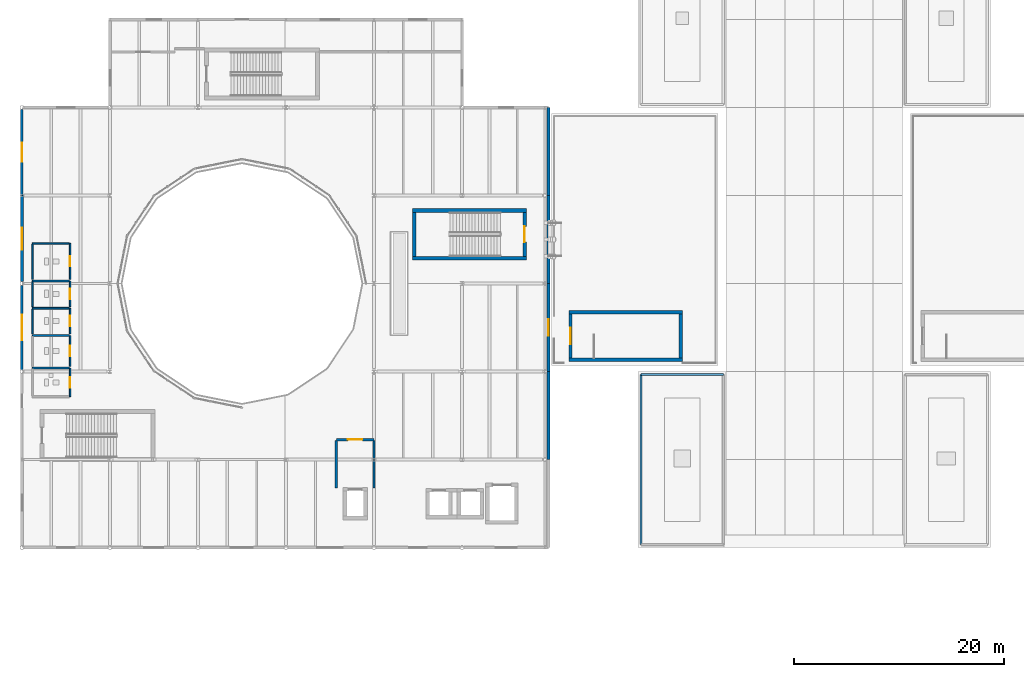
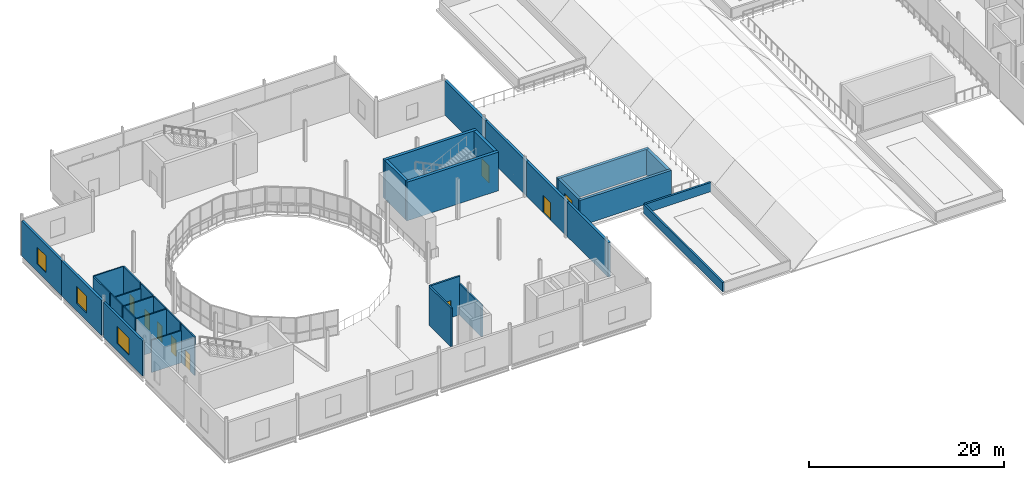
# One storey, part 66 of 91: 33 walls, 9 doors, 3 windows, 12 openings.
"""IFC4 building model written with IfcOpenShell, lengths in metres."""

from ifc_helpers import new_model, si_unit, direction, frame, frame_2d, origin, place, context, subcontext, project, spatial, rectangle, extrude, material, layer, layer_set, type_object, element, fill, save


model = new_model("IFC4")

# Units and contexts
model_context = context("Model", 3, precision=1e-05, world=origin(), true_north=direction((0.0, 1.0)))
body_context = subcontext(model_context, "Body", "Model", "MODEL_VIEW")
ifc_project = project(units=[si_unit("LENGTHUNIT", "METRE"), si_unit("AREAUNIT", "SQUARE_METRE"), si_unit("VOLUMEUNIT", "CUBIC_METRE"), si_unit("PLANEANGLEUNIT", "RADIAN"), si_unit("MASSUNIT", "GRAM", prefix="KILO"), si_unit("THERMODYNAMICTEMPERATUREUNIT", "KELVIN")], contexts=[model_context])

# Site, building, storey
site_placement = place(None, origin())
site = spatial("IfcSite", under=ifc_project, at=site_placement, CompositionType="ELEMENT")
building_placement = place(site_placement, origin())
building = spatial("IfcBuilding", under=site, at=building_placement, Name="Lustrewick Department Store", CompositionType="ELEMENT")
storey_placement = place(building_placement, frame((0.0, 0.0, 21.60009765625)))
storey = spatial("IfcBuildingStorey", under=building, at=storey_placement, Name="L05", CompositionType="ELEMENT", Elevation=21.60009765625)

# Wall, opening, window
ifc_material_1 = material(Name="Precast concrete C40", Category="concrete")
ifc_layer_1 = layer(ifc_material_1, 0.239990234375, Name="Precast concrete C40")
ifc_layer_set_1 = layer_set([ifc_layer_1], Name="Precast concrete C40")
wall_type_1 = type_object("IfcWallType", Name="EW01", PredefinedType="STANDARD", material=ifc_layer_set_1)
wall_1_placement = place(storey_placement, frame((8.39990234375, 67.027099609375, 0.0), z_axis=(0.0, 0.0, 1.0), x_axis=(0.0, -1.0, 0.0)))
wall_1 = element("IfcWall", 1, at=wall_1_placement, inside=storey, type_object=wall_type_1, Name="L05 V1 Exterior Wall EW01", PredefinedType="STANDARD", context=body_context, shape_type="SweptSolid", body=[
    extrude(rectangle(XDim=8.05419921875, YDim=0.239990234375, at=frame_2d((4.027099609375, 0.0))), origin(), (0.0, 0.0, 1.0), 4.39697265625),
])
opening_1_placement = place(wall_1_placement, frame((2.826904296875, 0.0, 0.949951171875)))
opening_1 = element("IfcOpeningElement", 2, at=opening_1_placement, cuts=wall_1, Name="Opening WN12", PredefinedType="OPENING", context=body_context, shape_type="SweptSolid", body=[
    extrude(rectangle(XDim=2.39990234375, YDim=2.10009765625, at=frame_2d((1.199951171875, 1.050048828125))), frame((0.0, 0.1298828125, 0.0), z_axis=(0.0, -1.0, 0.0), x_axis=(1.0, 0.0, 0.0)), (0.0, 0.0, 1.0), 0.260009765625),
])
ifc_material_2 = material(Name="Thermally broken Low-E triple-glazed window", Category="glass")
window_type_1 = type_object("IfcWindowType", Name="WN12", PartitioningType="DOUBLE_PANEL_VERTICAL", PredefinedType="WINDOW", material=ifc_material_2)
window_1_placement = place(opening_1_placement, origin())
window_1 = element("IfcWindow", 3, at=window_1_placement, inside=storey, type_object=window_type_1, Name="L05 Art Nouveau Window WN12", OverallHeight=2.10009765625, OverallWidth=2.39990234375, PartitioningType="SINGLE_PANEL", PredefinedType="WINDOW", context=body_context, shape_type="SweptSolid", body=[
    extrude(rectangle(XDim=2.39990234375, YDim=2.10009765625, at=frame_2d((1.199951171875, 1.050048828125))), frame((0.0, 0.030029296875, 0.0), z_axis=(0.0, -1.0, 0.0), x_axis=(1.0, 0.0, 0.0)), (0.0, 0.0, 1.0), 0.06005859375),
])
fill(opening_1, window_1)

ifc_layer_2 = layer(ifc_material_1, 0.260009765625, Name="Precast concrete C40")
ifc_layer_set_2 = layer_set([ifc_layer_2], Name="Precast concrete C40")
wall_type_2 = type_object("IfcWallType", Name="EW02", PredefinedType="STANDARD", material=ifc_layer_set_2)
wall_2_placement = place(storey_placement, frame((8.39990234375, 83.826904296875, 0.0), z_axis=(0.0, 0.0, 1.0), x_axis=(0.0, -1.0, 0.0)))
wall_2 = element("IfcWall", 4, at=wall_2_placement, inside=storey, type_object=wall_type_2, Name="L05 V1 Exterior Wall EW02", PredefinedType="STANDARD", context=body_context, shape_type="SweptSolid", body=[
    extrude(rectangle(XDim=8.226806640625, YDim=0.260009765625, at=frame_2d((4.11328125, 0.0))), origin(), (0.0, 0.0, 1.0), 4.39697265625),
])
opening_2_placement = place(wall_2_placement, frame((3.21337890625, 0.0, 0.949951171875)))
opening_2 = element("IfcOpeningElement", 5, at=opening_2_placement, cuts=wall_2, Name="Opening WN10", PredefinedType="OPENING", context=body_context, shape_type="SweptSolid", body=[
    extrude(rectangle(XDim=1.800048828125, YDim=2.10009765625, at=frame_2d((0.89990234375, 1.050048828125))), frame((0.0, 0.14013671875, 0.0), z_axis=(0.0, -1.0, 0.0), x_axis=(1.0, 0.0, 0.0)), (0.0, 0.0, 1.0), 0.280029296875),
])
window_type_2 = type_object("IfcWindowType", Name="WN10", PartitioningType="DOUBLE_PANEL_VERTICAL", PredefinedType="WINDOW", material=ifc_material_2)
window_2_placement = place(opening_2_placement, origin())
window_2 = element("IfcWindow", 6, at=window_2_placement, inside=storey, type_object=window_type_2, Name="L05 Art Nouveau Window WN10", OverallHeight=2.10009765625, OverallWidth=1.800048828125, PartitioningType="SINGLE_PANEL", PredefinedType="WINDOW", context=body_context, shape_type="SweptSolid", body=[
    extrude(rectangle(XDim=1.800048828125, YDim=2.10009765625, at=frame_2d((0.89990234375, 1.050048828125))), frame((0.0, 0.030029296875, 0.0), z_axis=(0.0, -1.0, 0.0), x_axis=(1.0, 0.0, 0.0)), (0.0, 0.0, 1.0), 0.06005859375),
])
fill(opening_2, window_2)

ifc_layer_3 = layer(ifc_material_1, 0.280029296875, Name="Precast concrete C40")
ifc_layer_set_3 = layer_set([ifc_layer_3], Name="Precast concrete C40")
wall_type_3 = type_object("IfcWallType", Name="EW03", PredefinedType="STANDARD", material=ifc_layer_set_3)
wall_3_placement = place(storey_placement, frame((8.39990234375, 75.60009765625, 0.0), z_axis=(0.0, 0.0, 1.0), x_axis=(0.0, -1.0, 0.0)))
wall_3 = element("IfcWall", 7, at=wall_3_placement, inside=storey, type_object=wall_type_3, Name="L05 V1 Exterior Wall EW03", PredefinedType="STANDARD", context=body_context, shape_type="SweptSolid", body=[
    extrude(rectangle(XDim=8.22705078125, YDim=0.280029296875, at=frame_2d((4.113525390625, 0.0))), origin(), (0.0, 0.0, 1.0), 4.39697265625),
])
opening_3_placement = place(wall_3_placement, frame((3.0634765625, 0.0, 0.949951171875)))
opening_3 = element("IfcOpeningElement", 8, at=opening_3_placement, cuts=wall_3, Name="Opening WN11", PredefinedType="OPENING", context=body_context, shape_type="SweptSolid", body=[
    extrude(rectangle(XDim=2.10009765625, YDim=2.10009765625, at=frame_2d((1.050048828125, 1.050048828125))), frame((0.0, 0.14990234375, 0.0), z_axis=(0.0, -1.0, 0.0), x_axis=(1.0, 0.0, 0.0)), (0.0, 0.0, 1.0), 0.300048828125),
])
window_type_3 = type_object("IfcWindowType", Name="WN11", PartitioningType="DOUBLE_PANEL_VERTICAL", PredefinedType="WINDOW", material=ifc_material_2)
window_3_placement = place(opening_3_placement, origin())
window_3 = element("IfcWindow", 9, at=window_3_placement, inside=storey, type_object=window_type_3, Name="L05 Art Nouveau Window WN11", OverallHeight=2.10009765625, OverallWidth=2.10009765625, PartitioningType="SINGLE_PANEL", PredefinedType="WINDOW", context=body_context, shape_type="SweptSolid", body=[
    extrude(rectangle(XDim=2.10009765625, YDim=2.10009765625, at=frame_2d((1.050048828125, 1.050048828125))), frame((0.0, 0.030029296875, 0.0), z_axis=(0.0, -1.0, 0.0), x_axis=(1.0, 0.0, 0.0)), (0.0, 0.0, 1.0), 0.06005859375),
])
fill(opening_3, window_3)

# Wall
ifc_layer_4 = layer(ifc_material_1, 0.300048828125, Name="Precast concrete C40")
ifc_layer_set_4 = layer_set([ifc_layer_4], Name="Precast concrete C40")
wall_type_4 = type_object("IfcWallType", Name="EW04", PredefinedType="STANDARD", material=ifc_layer_set_4)
wall_4_placement = place(storey_placement, frame((58.64990234375, 50.39990234375, 0.0), z_axis=(0.0, 0.0, 1.0), x_axis=(0.0, 1.0, 0.0)))
element("IfcWall", 10, at=wall_4_placement, inside=storey, type_object=wall_type_4, Name="L05 V1 Exterior Wall EW04", PredefinedType="STANDARD", context=body_context, shape_type="SweptSolid", body=[
    extrude(rectangle(XDim=8.400146484375, YDim=0.300048828125, at=frame_2d((4.2001953125, 0.0))), origin(), (0.0, 0.0, 1.0), 4.330810546875),
])

# Wall, opening, door
wall_5_placement = place(storey_placement, frame((58.64990234375, 58.800048828125, 0.0), z_axis=(0.0, 0.0, 1.0), x_axis=(0.0, 1.0, 0.0)))
wall_5 = element("IfcWall", 11, at=wall_5_placement, inside=storey, type_object=wall_type_4, Name="L05 V1 Exterior Wall EW04", PredefinedType="STANDARD", context=body_context, shape_type="SweptSolid", body=[
    extrude(rectangle(XDim=8.39990234375, YDim=0.300048828125, at=frame_2d((4.199951171875, 0.0))), origin(), (0.0, 0.0, 1.0), 4.330810546875),
])
opening_4_placement = place(wall_5_placement, frame((3.39990234375, 0.0, 0.0)))
opening_4 = element("IfcOpeningElement", 12, at=opening_4_placement, cuts=wall_5, Name="Opening D-TR03", PredefinedType="OPENING", context=body_context, shape_type="SweptSolid", body=[
    extrude(rectangle(XDim=1.60009765625, YDim=2.199951171875, at=frame_2d((0.800048828125, 1.10009765625))), frame((0.0, 0.16015625, 0.0), z_axis=(0.0, -1.0, 0.0), x_axis=(1.0, 0.0, 0.0)), (0.0, 0.0, 1.0), 0.320068359375),
])
ifc_material_3 = material(Name="Steel fire-rated terrace exit door EI 60", Category="steel")
door_type_1 = type_object("IfcDoorType", Name="DT-03", OperationType="NOTDEFINED", PredefinedType="DOOR", material=ifc_material_3)
door_1_placement = place(opening_4_placement, frame((1.60009765625, 0.0, 0.0), z_axis=(0.0, 0.0, 1.0), x_axis=(-1.0, 0.0, 0.0)))
door_1 = element("IfcDoor", 13, at=door_1_placement, inside=storey, type_object=door_type_1, Name="L05 Terrace and Refuge Access Door D-TR03", OperationType="DOUBLE_DOOR_SINGLE_SWING", OverallHeight=2.199951171875, OverallWidth=1.60009765625, PredefinedType="DOOR", context=body_context, shape_type="SweptSolid", body=[
    extrude(rectangle(XDim=1.60009765625, YDim=2.199951171875, at=frame_2d((0.800048828125, 1.10009765625))), frame((0.0, 0.02490234375, 0.0), z_axis=(0.0, -1.0, 0.0), x_axis=(1.0, 0.0, 0.0)), (0.0, 0.0, 1.0), 0.050048828125),
])
fill(opening_4, door_1)

# Walls
wall_6_placement = place(storey_placement, frame((58.64990234375, 67.199951171875, 0.0), z_axis=(0.0, 0.0, 1.0), x_axis=(0.0, 1.0, 0.0)))
element("IfcWall", 14, at=wall_6_placement, inside=storey, type_object=wall_type_4, Name="L05 V1 Exterior Wall EW04", PredefinedType="STANDARD", context=body_context, shape_type="SweptSolid", body=[
    extrude(rectangle(XDim=8.400146484375, YDim=0.300048828125, at=frame_2d((4.2001953125, 0.0))), origin(), (0.0, 0.0, 1.0), 4.330810546875),
])
wall_7_placement = place(storey_placement, frame((58.64990234375, 75.60009765625, 0.0), z_axis=(0.0, 0.0, 1.0), x_axis=(0.0, 1.0, 0.0)))
element("IfcWall", 15, at=wall_7_placement, inside=storey, type_object=wall_type_4, Name="L05 V1 Exterior Wall EW04", PredefinedType="STANDARD", context=body_context, shape_type="SweptSolid", body=[
    extrude(rectangle(XDim=8.39990234375, YDim=0.300048828125, at=frame_2d((4.199951171875, 0.0))), origin(), (0.0, 0.0, 1.0), 4.330810546875),
])
ifc_layer_5 = layer(ifc_material_1, 0.2099609375, Name="Precast concrete C40")
ifc_layer_set_5 = layer_set([ifc_layer_5], Name="Precast concrete C40")
wall_type_5 = type_object("IfcWallType", Name="PA02", PredefinedType="PARAPET", material=ifc_layer_set_5)
wall_8_placement = place(storey_placement, frame((67.47998046875, 42.280029296875, 0.0), z_axis=(0.0, 0.0, 1.0), x_axis=(0.0, 1.0, 0.0)))
element("IfcWall", 16, at=wall_8_placement, inside=storey, type_object=wall_type_5, Name="L05 Roof Parapet PA02", PredefinedType="PARAPET", context=body_context, shape_type="SweptSolid", body=[
    extrude(rectangle(XDim=16.239990234375, YDim=0.2099609375, at=frame_2d((8.1201171875, 0.0))), origin(), (0.0, 0.0, 1.0), 1.14990234375),
])
ifc_layer_6 = layer(ifc_material_1, 0.22998046875, Name="Precast concrete C40")
ifc_layer_set_6 = layer_set([ifc_layer_6], Name="Precast concrete C40")
wall_type_6 = type_object("IfcWallType", Name="PA03", PredefinedType="PARAPET", material=ifc_layer_set_6)
wall_9_placement = place(storey_placement, frame((67.47998046875, 58.52001953125, 0.0), z_axis=(0.0, 0.0, 1.0), x_axis=(1.0, 0.0, 0.0)))
element("IfcWall", 17, at=wall_9_placement, inside=storey, type_object=wall_type_6, Name="L05 Roof Parapet PA03", PredefinedType="PARAPET", context=body_context, shape_type="SweptSolid", body=[
    extrude(rectangle(XDim=7.840087890625, YDim=0.22998046875, at=frame_2d((3.919921875, 0.0))), origin(), (0.0, 0.0, 1.0), 1.14990234375),
])

# Wall, opening, door
ifc_material_4 = material(Name="Autoclaved aerated concrete blockwork and fire board", Category="masonry")
ifc_layer_7 = layer(ifc_material_4, 0.205078125, Name="Autoclaved aerated concrete blockwork and fire board")
ifc_layer_set_7 = layer_set([ifc_layer_7], Name="Autoclaved aerated concrete blockwork and fire board")
wall_type_7 = type_object("IfcWallType", Name="PW02", PredefinedType="PARTITIONING", material=ifc_layer_set_7)
wall_10_placement = place(storey_placement, frame((42.0, 52.300048828125, 0.0), z_axis=(0.0, 0.0, 1.0), x_axis=(-1.0, 0.0, 0.0)))
wall_10 = element("IfcWall", 18, at=wall_10_placement, inside=storey, type_object=wall_type_7, Name="L05 Firefighting Lift Lobby FFL-01 PW02", PredefinedType="PARTITIONING", context=body_context, shape_type="SweptSolid", body=[
    extrude(rectangle(XDim=3.60009765625, YDim=0.205078125, at=frame_2d((1.800048828125, 0.0))), origin(), (0.0, 0.0, 1.0), 4.844970703125),
])
opening_5_placement = place(wall_10_placement, frame((1.10009765625, 0.0, 0.0)))
opening_5 = element("IfcOpeningElement", 19, at=opening_5_placement, cuts=wall_10, Name="Opening D-L05-041", PredefinedType="OPENING", context=body_context, shape_type="SweptSolid", body=[
    extrude(rectangle(XDim=1.39990234375, YDim=2.14990234375, at=frame_2d((0.699951171875, 1.074951171875))), frame((0.0, 0.112548828125, 0.0), z_axis=(0.0, -1.0, 0.0), x_axis=(1.0, 0.0, 0.0)), (0.0, 0.0, 1.0), 0.22509765625),
])
ifc_material_5 = material(Name="Steel fire door Class B EI 60", Category="steel")
door_type_2 = type_object("IfcDoorType", Name="DT-08", OperationType="NOTDEFINED", PredefinedType="DOOR", material=ifc_material_5)
door_2_placement = place(opening_5_placement, origin())
door_2 = element("IfcDoor", 20, at=door_2_placement, inside=storey, type_object=door_type_2, Name="L05 Firefighting Lift Lobby FFL-01 Door D-L05-041", OperationType="SINGLE_SWING_LEFT", OverallHeight=2.14990234375, OverallWidth=1.39990234375, PredefinedType="DOOR", context=body_context, shape_type="SweptSolid", body=[
    extrude(rectangle(XDim=1.39990234375, YDim=2.14990234375, at=frame_2d((0.699951171875, 1.074951171875))), frame((0.0, 0.02490234375, 0.0), z_axis=(0.0, -1.0, 0.0), x_axis=(1.0, 0.0, 0.0)), (0.0, 0.0, 1.0), 0.050048828125),
])
fill(opening_5, door_2)

# Walls
wall_11_placement = place(storey_placement, frame((42.0, 47.699951171875, 0.0), z_axis=(0.0, 0.0, 1.0), x_axis=(0.0, 1.0, 0.0)))
element("IfcWall", 21, at=wall_11_placement, inside=storey, type_object=wall_type_7, Name="L05 Firefighting Lift Lobby FFL-01 PW02", PredefinedType="PARTITIONING", context=body_context, shape_type="SweptSolid", body=[
    extrude(rectangle(XDim=4.50244140625, YDim=0.205078125, at=frame_2d((2.251220703125, 0.0))), origin(), (0.0, 0.0, 1.0), 3.9248046875),
])
wall_12_placement = place(storey_placement, frame((38.39990234375, 52.202392578125, 0.0), z_axis=(0.0, 0.0, 1.0), x_axis=(0.0, -1.0, 0.0)))
element("IfcWall", 22, at=wall_12_placement, inside=storey, type_object=wall_type_7, Name="L05 Firefighting Lift Lobby FFL-01 PW02", PredefinedType="PARTITIONING", context=body_context, shape_type="SweptSolid", body=[
    extrude(rectangle(XDim=4.50244140625, YDim=0.205078125, at=frame_2d((2.251220703125, 0.0))), origin(), (0.0, 0.0, 1.0), 4.844970703125),
])

# Wall, opening, door
ifc_material_6 = material(Name="Moisture-resistant cement board sanitary partition", Category="gypsum")
ifc_layer_8 = layer(ifc_material_6, 0.14990234375, Name="Moisture-resistant cement board sanitary partition")
ifc_layer_set_8 = layer_set([ifc_layer_8], Name="Moisture-resistant cement board sanitary partition")
wall_type_8 = type_object("IfcWallType", Name="PW05", PredefinedType="PARTITIONING", material=ifc_layer_set_8)
wall_13_placement = place(storey_placement, frame((13.0, 56.39990234375, 0.0), z_axis=(0.0, 0.0, 1.0), x_axis=(0.0, 1.0, 0.0)))
wall_13 = element("IfcWall", 23, at=wall_13_placement, inside=storey, type_object=wall_type_8, Name="L05 Male Public WC PW05", PredefinedType="PARTITIONING", context=body_context, shape_type="SweptSolid", body=[
    extrude(rectangle(XDim=2.739990234375, YDim=0.14990234375, at=frame_2d((1.3701171875, 0.0))), origin(), (0.0, 0.0, 1.0), 4.844970703125),
])
opening_6_placement = place(wall_13_placement, frame((0.8701171875, 0.0, 0.0)))
opening_6 = element("IfcOpeningElement", 24, at=opening_6_placement, cuts=wall_13, Name="Opening D-L05-042", PredefinedType="OPENING", context=body_context, shape_type="SweptSolid", body=[
    extrude(rectangle(XDim=1.0, YDim=2.10009765625, at=frame_2d((0.5, 1.050048828125))), frame((0.0, 0.0849609375, 0.0), z_axis=(0.0, -1.0, 0.0), x_axis=(1.0, 0.0, 0.0)), (0.0, 0.0, 1.0), 0.169921875),
])
ifc_material_7 = material(Name="Moisture-resistant laminate sanitary door", Category="steel")
door_type_3 = type_object("IfcDoorType", Name="DT-11", OperationType="NOTDEFINED", PredefinedType="DOOR", material=ifc_material_7)
door_3_placement = place(opening_6_placement, origin())
door_3 = element("IfcDoor", 25, at=door_3_placement, inside=storey, type_object=door_type_3, Name="L05 Male Public WC Door D-L05-042", OperationType="SINGLE_SWING_RIGHT", OverallHeight=2.10009765625, OverallWidth=1.0, PredefinedType="DOOR", context=body_context, shape_type="SweptSolid", body=[
    extrude(rectangle(XDim=1.0, YDim=2.10009765625, at=frame_2d((0.5, 1.050048828125))), frame((0.0, 0.02490234375, 0.0), z_axis=(0.0, -1.0, 0.0), x_axis=(1.0, 0.0, 0.0)), (0.0, 0.0, 1.0), 0.050048828125),
])
fill(opening_6, door_3)

# Wall
wall_14_placement = place(storey_placement, frame((12.929931640625, 59.139892578125, 0.0), z_axis=(0.0, 0.0, 1.0), x_axis=(-1.0, 0.0, 0.0)))
element("IfcWall", 26, at=wall_14_placement, inside=storey, type_object=wall_type_8, Name="L05 Male Public WC PW05", PredefinedType="PARTITIONING", context=body_context, shape_type="SweptSolid", body=[
    extrude(rectangle(XDim=3.530029296875, YDim=0.14990234375, at=frame_2d((1.76513671875, 0.0))), origin(), (0.0, 0.0, 1.0), 4.036865234375),
])

# Wall, opening, door
wall_15_placement = place(storey_placement, frame((13.0, 59.300048828125, 0.0), z_axis=(0.0, 0.0, 1.0), x_axis=(0.0, 1.0, 0.0)))
wall_15 = element("IfcWall", 27, at=wall_15_placement, inside=storey, type_object=wall_type_8, Name="L05 Female Public WC PW05", PredefinedType="PARTITIONING", context=body_context, shape_type="SweptSolid", body=[
    extrude(rectangle(XDim=2.93994140625, YDim=0.14990234375, at=frame_2d((1.469970703125, 0.0))), origin(), (0.0, 0.0, 1.0), 4.844970703125),
])
opening_7_placement = place(wall_15_placement, frame((0.969970703125, 0.0, 0.0)))
opening_7 = element("IfcOpeningElement", 28, at=opening_7_placement, cuts=wall_15, Name="Opening D-L05-043", PredefinedType="OPENING", context=body_context, shape_type="SweptSolid", body=[
    extrude(rectangle(XDim=1.0, YDim=2.10009765625, at=frame_2d((0.5, 1.050048828125))), frame((0.0, 0.0849609375, 0.0), z_axis=(0.0, -1.0, 0.0), x_axis=(1.0, 0.0, 0.0)), (0.0, 0.0, 1.0), 0.169921875),
])
door_4_placement = place(opening_7_placement, origin())
door_4 = element("IfcDoor", 29, at=door_4_placement, inside=storey, type_object=door_type_3, Name="L05 Female Public WC Door D-L05-043", OperationType="SINGLE_SWING_LEFT", OverallHeight=2.10009765625, OverallWidth=1.0, PredefinedType="DOOR", context=body_context, shape_type="SweptSolid", body=[
    extrude(rectangle(XDim=1.0, YDim=2.10009765625, at=frame_2d((0.5, 1.050048828125))), frame((0.0, 0.02490234375, 0.0), z_axis=(0.0, -1.0, 0.0), x_axis=(1.0, 0.0, 0.0)), (0.0, 0.0, 1.0), 0.050048828125),
])
fill(opening_7, door_4)

# Wall
wall_16_placement = place(storey_placement, frame((12.929931640625, 62.239990234375, 0.0), z_axis=(0.0, 0.0, 1.0), x_axis=(-1.0, 0.0, 0.0)))
element("IfcWall", 30, at=wall_16_placement, inside=storey, type_object=wall_type_8, Name="L05 Female Public WC PW05", PredefinedType="PARTITIONING", context=body_context, shape_type="SweptSolid", body=[
    extrude(rectangle(XDim=3.530029296875, YDim=0.14990234375, at=frame_2d((1.76513671875, 0.0))), origin(), (0.0, 0.0, 1.0), 4.844970703125),
])

# Wall, opening, door
wall_17_placement = place(storey_placement, frame((13.0, 62.39990234375, 0.0), z_axis=(0.0, 0.0, 1.0), x_axis=(0.0, 1.0, 0.0)))
wall_17 = element("IfcWall", 31, at=wall_17_placement, inside=storey, type_object=wall_type_8, Name="L05 Accessible WC PW05", PredefinedType="PARTITIONING", context=body_context, shape_type="SweptSolid", body=[
    extrude(rectangle(XDim=2.440185546875, YDim=0.14990234375, at=frame_2d((1.22021484375, 0.0))), origin(), (0.0, 0.0, 1.0), 4.844970703125),
])
opening_8_placement = place(wall_17_placement, frame((0.72998046875, 0.0, 0.0)))
opening_8 = element("IfcOpeningElement", 32, at=opening_8_placement, cuts=wall_17, Name="Opening D-L05-044", PredefinedType="OPENING", context=body_context, shape_type="SweptSolid", body=[
    extrude(rectangle(XDim=0.97998046875, YDim=2.10009765625, at=frame_2d((0.489990234375, 1.050048828125))), frame((0.0, 0.0849609375, 0.0), z_axis=(0.0, -1.0, 0.0), x_axis=(1.0, 0.0, 0.0)), (0.0, 0.0, 1.0), 0.169921875),
])
ifc_material_8 = material(Name="Barrier-free accessible sanitary door", Category="steel")
door_type_4 = type_object("IfcDoorType", Name="DT-12", OperationType="NOTDEFINED", PredefinedType="DOOR", material=ifc_material_8)
door_5_placement = place(opening_8_placement, origin())
door_5 = element("IfcDoor", 33, at=door_5_placement, inside=storey, type_object=door_type_4, Name="L05 Accessible WC Door D-L05-044", OperationType="SINGLE_SWING_RIGHT", OverallHeight=2.10009765625, OverallWidth=0.97998046875, PredefinedType="DOOR", context=body_context, shape_type="SweptSolid", body=[
    extrude(rectangle(XDim=0.97998046875, YDim=2.10009765625, at=frame_2d((0.489990234375, 1.050048828125))), frame((0.0, 0.02490234375, 0.0), z_axis=(0.0, -1.0, 0.0), x_axis=(1.0, 0.0, 0.0)), (0.0, 0.0, 1.0), 0.050048828125),
])
fill(opening_8, door_5)

# Walls
wall_18_placement = place(storey_placement, frame((12.929931640625, 64.840087890625, 0.0), z_axis=(0.0, 0.0, 1.0), x_axis=(-1.0, 0.0, 0.0)))
element("IfcWall", 34, at=wall_18_placement, inside=storey, type_object=wall_type_8, Name="L05 Accessible WC PW05", PredefinedType="PARTITIONING", context=body_context, shape_type="SweptSolid", body=[
    extrude(rectangle(XDim=3.530029296875, YDim=0.14990234375, at=frame_2d((1.76513671875, 0.0))), origin(), (0.0, 0.0, 1.0), 4.844970703125),
])
wall_19_placement = place(storey_placement, frame((9.39990234375, 64.77001953125, 0.0), z_axis=(0.0, 0.0, 1.0), x_axis=(0.0, -1.0, 0.0)))
element("IfcWall", 35, at=wall_19_placement, inside=storey, type_object=wall_type_8, Name="L05 Accessible WC PW05", PredefinedType="PARTITIONING", context=body_context, shape_type="SweptSolid", body=[
    extrude(rectangle(XDim=2.3701171875, YDim=0.14990234375, at=frame_2d((1.18505859375, 0.0))), origin(), (0.0, 0.0, 1.0), 4.844970703125),
])

# Wall, opening, door
wall_20_placement = place(storey_placement, frame((13.0, 65.0, 0.0), z_axis=(0.0, 0.0, 1.0), x_axis=(0.0, 1.0, 0.0)))
wall_20 = element("IfcWall", 36, at=wall_20_placement, inside=storey, type_object=wall_type_8, Name="L05 Staff WC PW05", PredefinedType="PARTITIONING", context=body_context, shape_type="SweptSolid", body=[
    extrude(rectangle(XDim=2.43994140625, YDim=0.14990234375, at=frame_2d((1.219970703125, 0.0))), origin(), (0.0, 0.0, 1.0), 4.844970703125),
])
opening_9_placement = place(wall_20_placement, frame((0.719970703125, 0.0, 0.0)))
opening_9 = element("IfcOpeningElement", 37, at=opening_9_placement, cuts=wall_20, Name="Opening D-L05-045", PredefinedType="OPENING", context=body_context, shape_type="SweptSolid", body=[
    extrude(rectangle(XDim=1.0, YDim=2.10009765625, at=frame_2d((0.5, 1.050048828125))), frame((0.0, 0.0849609375, 0.0), z_axis=(0.0, -1.0, 0.0), x_axis=(1.0, 0.0, 0.0)), (0.0, 0.0, 1.0), 0.169921875),
])
door_6_placement = place(opening_9_placement, origin())
door_6 = element("IfcDoor", 38, at=door_6_placement, inside=storey, type_object=door_type_3, Name="L05 Staff WC Door D-L05-045", OperationType="SINGLE_SWING_LEFT", OverallHeight=2.10009765625, OverallWidth=1.0, PredefinedType="DOOR", context=body_context, shape_type="SweptSolid", body=[
    extrude(rectangle(XDim=1.0, YDim=2.10009765625, at=frame_2d((0.5, 1.050048828125))), frame((0.0, 0.02490234375, 0.0), z_axis=(0.0, -1.0, 0.0), x_axis=(1.0, 0.0, 0.0)), (0.0, 0.0, 1.0), 0.050048828125),
])
fill(opening_9, door_6)

# Walls
wall_21_placement = place(storey_placement, frame((12.929931640625, 67.43994140625, 0.0), z_axis=(0.0, 0.0, 1.0), x_axis=(-1.0, 0.0, 0.0)))
element("IfcWall", 39, at=wall_21_placement, inside=storey, type_object=wall_type_8, Name="L05 Staff WC PW05", PredefinedType="PARTITIONING", context=body_context, shape_type="SweptSolid", body=[
    extrude(rectangle(XDim=3.530029296875, YDim=0.14990234375, at=frame_2d((1.76513671875, 0.0))), origin(), (0.0, 0.0, 1.0), 4.23681640625),
])
wall_22_placement = place(storey_placement, frame((9.39990234375, 67.3701171875, 0.0), z_axis=(0.0, 0.0, 1.0), x_axis=(0.0, -1.0, 0.0)))
element("IfcWall", 40, at=wall_22_placement, inside=storey, type_object=wall_type_8, Name="L05 Staff WC PW05", PredefinedType="PARTITIONING", context=body_context, shape_type="SweptSolid", body=[
    extrude(rectangle(XDim=2.3701171875, YDim=0.14990234375, at=frame_2d((1.18505859375, 0.0))), origin(), (0.0, 0.0, 1.0), 4.844970703125),
])

# Wall, opening, door
wall_23_placement = place(storey_placement, frame((13.0, 67.60009765625, 0.0), z_axis=(0.0, 0.0, 1.0), x_axis=(0.0, 1.0, 0.0)))
wall_23 = element("IfcWall", 41, at=wall_23_placement, inside=storey, type_object=wall_type_8, Name="L05 Nursery Room PW05", PredefinedType="PARTITIONING", context=body_context, shape_type="SweptSolid", body=[
    extrude(rectangle(XDim=3.43994140625, YDim=0.14990234375, at=frame_2d((1.719970703125, 0.0))), origin(), (0.0, 0.0, 1.0), 4.844970703125),
])
opening_10_placement = place(wall_23_placement, frame((1.22998046875, 0.0, 0.0)))
opening_10 = element("IfcOpeningElement", 42, at=opening_10_placement, cuts=wall_23, Name="Opening D-L05-046", PredefinedType="OPENING", context=body_context, shape_type="SweptSolid", body=[
    extrude(rectangle(XDim=0.97998046875, YDim=2.10009765625, at=frame_2d((0.489990234375, 1.050048828125))), frame((0.0, 0.0849609375, 0.0), z_axis=(0.0, -1.0, 0.0), x_axis=(1.0, 0.0, 0.0)), (0.0, 0.0, 1.0), 0.169921875),
])
door_7_placement = place(opening_10_placement, origin())
door_7 = element("IfcDoor", 43, at=door_7_placement, inside=storey, type_object=door_type_4, Name="L05 Nursery Room Door D-L05-046", OperationType="SINGLE_SWING_RIGHT", OverallHeight=2.10009765625, OverallWidth=0.97998046875, PredefinedType="DOOR", context=body_context, shape_type="SweptSolid", body=[
    extrude(rectangle(XDim=0.97998046875, YDim=2.10009765625, at=frame_2d((0.489990234375, 1.050048828125))), frame((0.0, 0.02490234375, 0.0), z_axis=(0.0, -1.0, 0.0), x_axis=(1.0, 0.0, 0.0)), (0.0, 0.0, 1.0), 0.050048828125),
])
fill(opening_10, door_7)

# Walls
wall_24_placement = place(storey_placement, frame((12.929931640625, 71.0400390625, 0.0), z_axis=(0.0, 0.0, 1.0), x_axis=(-1.0, 0.0, 0.0)))
element("IfcWall", 44, at=wall_24_placement, inside=storey, type_object=wall_type_8, Name="L05 Nursery Room PW05", PredefinedType="PARTITIONING", context=body_context, shape_type="SweptSolid", body=[
    extrude(rectangle(XDim=3.530029296875, YDim=0.14990234375, at=frame_2d((1.76513671875, 0.0))), origin(), (0.0, 0.0, 1.0), 4.844970703125),
])
wall_25_placement = place(storey_placement, frame((9.39990234375, 70.969970703125, 0.0), z_axis=(0.0, 0.0, 1.0), x_axis=(0.0, -1.0, 0.0)))
element("IfcWall", 45, at=wall_25_placement, inside=storey, type_object=wall_type_8, Name="L05 Nursery Room PW05", PredefinedType="PARTITIONING", context=body_context, shape_type="SweptSolid", body=[
    extrude(rectangle(XDim=3.369873046875, YDim=0.14990234375, at=frame_2d((1.68505859375, 0.0))), origin(), (0.0, 0.0, 1.0), 4.844970703125),
])
ifc_material_9 = material(Name="Concrete C40", Category="concrete")
ifc_layer_9 = layer(ifc_material_9, 0.340087890625, Name="Concrete C40")
ifc_layer_set_9 = layer_set([ifc_layer_9], Name="Concrete C40")
wall_type_9 = type_object("IfcWallType", Name="SW05", PredefinedType="SHEAR", material=ifc_layer_set_9)
wall_26_placement = place(storey_placement, frame((45.659912109375, 69.6298828125, 0.0), z_axis=(0.0, 0.0, 1.0), x_axis=(1.0, 0.0, 0.0)))
element("IfcWall", 46, at=wall_26_placement, inside=storey, type_object=wall_type_9, Name="L05 Stair Core ST02 Shear Wall S", PredefinedType="SHEAR", context=body_context, shape_type="SweptSolid", body=[
    extrude(rectangle(XDim=10.880126953125, YDim=0.340087890625, at=frame_2d((5.43994140625, 0.0))), origin(), (0.0, 0.0, 1.0), 4.844970703125),
])

# Wall, opening, door
wall_27_placement = place(storey_placement, frame((56.3701171875, 69.800048828125, 0.0), z_axis=(0.0, 0.0, 1.0), x_axis=(0.0, 1.0, 0.0)))
wall_27 = element("IfcWall", 47, at=wall_27_placement, inside=storey, type_object=wall_type_9, Name="L05 Stair Core ST02 Shear Wall E", PredefinedType="SHEAR", context=body_context, shape_type="SweptSolid", body=[
    extrude(rectangle(XDim=4.199951171875, YDim=0.340087890625, at=frame_2d((2.10009765625, 0.0))), origin(), (0.0, 0.0, 1.0), 4.844970703125),
])
opening_11_placement = place(wall_27_placement, frame((1.35009765625, 0.0, 0.0)))
opening_11 = element("IfcOpeningElement", 48, at=opening_11_placement, cuts=wall_27, Name="Opening D-L05-002", PredefinedType="OPENING", context=body_context, shape_type="SweptSolid", body=[
    extrude(rectangle(XDim=1.5, YDim=2.14990234375, at=frame_2d((0.75, 1.074951171875))), frame((0.0, 0.18017578125, 0.0), z_axis=(0.0, -1.0, 0.0), x_axis=(1.0, 0.0, 0.0)), (0.0, 0.0, 1.0), 0.360107421875),
])
door_type_5 = type_object("IfcDoorType", Name="DT-07", OperationType="NOTDEFINED", PredefinedType="DOOR", material=ifc_material_5)
door_8_placement = place(opening_11_placement, origin())
door_8 = element("IfcDoor", 49, at=door_8_placement, inside=storey, type_object=door_type_5, Name="L05 Smoke-Proof Stair ST02 Fire Door", OperationType="SINGLE_SWING_RIGHT", OverallHeight=2.14990234375, OverallWidth=1.5, PredefinedType="DOOR", context=body_context, shape_type="SweptSolid", body=[
    extrude(rectangle(XDim=1.5, YDim=2.14990234375, at=frame_2d((0.75, 1.074951171875))), frame((0.0, 0.02490234375, 0.0), z_axis=(0.0, -1.0, 0.0), x_axis=(1.0, 0.0, 0.0)), (0.0, 0.0, 1.0), 0.050048828125),
])
fill(opening_11, door_8)

# Walls
wall_28_placement = place(storey_placement, frame((56.5400390625, 74.169921875, 0.0), z_axis=(0.0, 0.0, 1.0), x_axis=(-1.0, 0.0, 0.0)))
element("IfcWall", 50, at=wall_28_placement, inside=storey, type_object=wall_type_9, Name="L05 Stair Core ST02 Shear Wall N", PredefinedType="SHEAR", context=body_context, shape_type="SweptSolid", body=[
    extrude(rectangle(XDim=10.880126953125, YDim=0.340087890625, at=frame_2d((5.43994140625, 0.0))), origin(), (0.0, 0.0, 1.0), 4.844970703125),
])
wall_29_placement = place(storey_placement, frame((45.830078125, 74.0, 0.0), z_axis=(0.0, 0.0, 1.0), x_axis=(0.0, -1.0, 0.0)))
element("IfcWall", 51, at=wall_29_placement, inside=storey, type_object=wall_type_9, Name="L05 Stair Core ST02 Shear Wall W", PredefinedType="SHEAR", context=body_context, shape_type="SweptSolid", body=[
    extrude(rectangle(XDim=4.199951171875, YDim=0.340087890625, at=frame_2d((2.10009765625, 0.0))), origin(), (0.0, 0.0, 1.0), 4.844970703125),
])
ifc_layer_10 = layer(ifc_material_9, 0.320068359375, Name="Concrete C40")
ifc_layer_set_10 = layer_set([ifc_layer_10], Name="Concrete C40")
wall_type_10 = type_object("IfcWallType", Name="SW06", PredefinedType="SHEAR", material=ifc_layer_set_10)
wall_30_placement = place(storey_placement, frame((60.580078125, 59.93994140625, 0.0), z_axis=(0.0, 0.0, 1.0), x_axis=(1.0, 0.0, 0.0)))
element("IfcWall", 52, at=wall_30_placement, inside=storey, type_object=wall_type_10, Name="L05 Stair Core ST04 Shear Wall S", PredefinedType="SHEAR", context=body_context, shape_type="SweptSolid", body=[
    extrude(rectangle(XDim=10.83984375, YDim=0.320068359375, at=frame_2d((5.419921875, 0.0))), origin(), (0.0, 0.0, 1.0), 3.199951171875),
])
wall_31_placement = place(storey_placement, frame((71.260009765625, 60.10009765625, 0.0), z_axis=(0.0, 0.0, 1.0), x_axis=(0.0, 1.0, 0.0)))
element("IfcWall", 53, at=wall_31_placement, inside=storey, type_object=wall_type_10, Name="L05 Stair Core ST04 Shear Wall E", PredefinedType="SHEAR", context=body_context, shape_type="SweptSolid", body=[
    extrude(rectangle(XDim=4.199951171875, YDim=0.320068359375, at=frame_2d((2.10009765625, 0.0))), origin(), (0.0, 0.0, 1.0), 3.199951171875),
])
wall_32_placement = place(storey_placement, frame((71.419921875, 64.4599609375, 0.0), z_axis=(0.0, 0.0, 1.0), x_axis=(-1.0, 0.0, 0.0)))
element("IfcWall", 54, at=wall_32_placement, inside=storey, type_object=wall_type_10, Name="L05 Stair Core ST04 Shear Wall N", PredefinedType="SHEAR", context=body_context, shape_type="SweptSolid", body=[
    extrude(rectangle(XDim=10.83984375, YDim=0.320068359375, at=frame_2d((5.419921875, 0.0))), origin(), (0.0, 0.0, 1.0), 3.199951171875),
])

# Wall, opening, door
wall_33_placement = place(storey_placement, frame((60.739990234375, 64.300048828125, 0.0), z_axis=(0.0, 0.0, 1.0), x_axis=(0.0, -1.0, 0.0)))
wall_33 = element("IfcWall", 55, at=wall_33_placement, inside=storey, type_object=wall_type_10, Name="L05 Stair Core ST04 Shear Wall W", PredefinedType="SHEAR", context=body_context, shape_type="SweptSolid", body=[
    extrude(rectangle(XDim=4.199951171875, YDim=0.320068359375, at=frame_2d((2.10009765625, 0.0))), origin(), (0.0, 0.0, 1.0), 3.199951171875),
])
opening_12_placement = place(wall_33_placement, frame((1.300048828125, 0.0, 0.0)))
opening_12 = element("IfcOpeningElement", 56, at=opening_12_placement, cuts=wall_33, Name="Opening D-L05-004", PredefinedType="OPENING", context=body_context, shape_type="SweptSolid", body=[
    extrude(rectangle(XDim=1.60009765625, YDim=2.199951171875, at=frame_2d((0.800048828125, 1.10009765625))), frame((0.0, 0.169921875, 0.0), z_axis=(0.0, -1.0, 0.0), x_axis=(1.0, 0.0, 0.0)), (0.0, 0.0, 1.0), 0.340087890625),
])
door_9_placement = place(opening_12_placement, frame((1.60009765625, 0.0, 0.0), z_axis=(0.0, 0.0, 1.0), x_axis=(-1.0, 0.0, 0.0)))
door_9 = element("IfcDoor", 57, at=door_9_placement, inside=storey, type_object=door_type_1, Name="L05 Stair ST04 Refuge Platform Exit Door", OperationType="DOUBLE_DOOR_SINGLE_SWING", OverallHeight=2.199951171875, OverallWidth=1.60009765625, PredefinedType="DOOR", context=body_context, shape_type="SweptSolid", body=[
    extrude(rectangle(XDim=1.60009765625, YDim=2.199951171875, at=frame_2d((0.800048828125, 1.10009765625))), frame((0.0, 0.02490234375, 0.0), z_axis=(0.0, -1.0, 0.0), x_axis=(1.0, 0.0, 0.0)), (0.0, 0.0, 1.0), 0.050048828125),
])
fill(opening_12, door_9)

save(model, "model.ifc")
